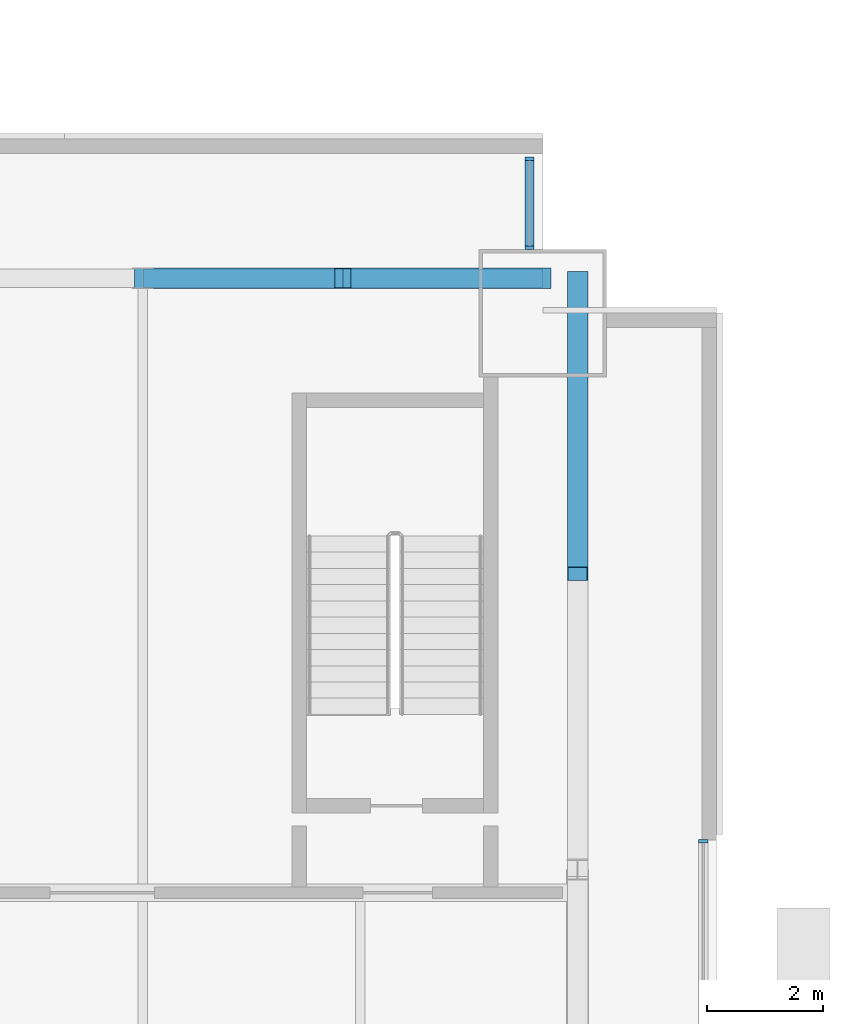
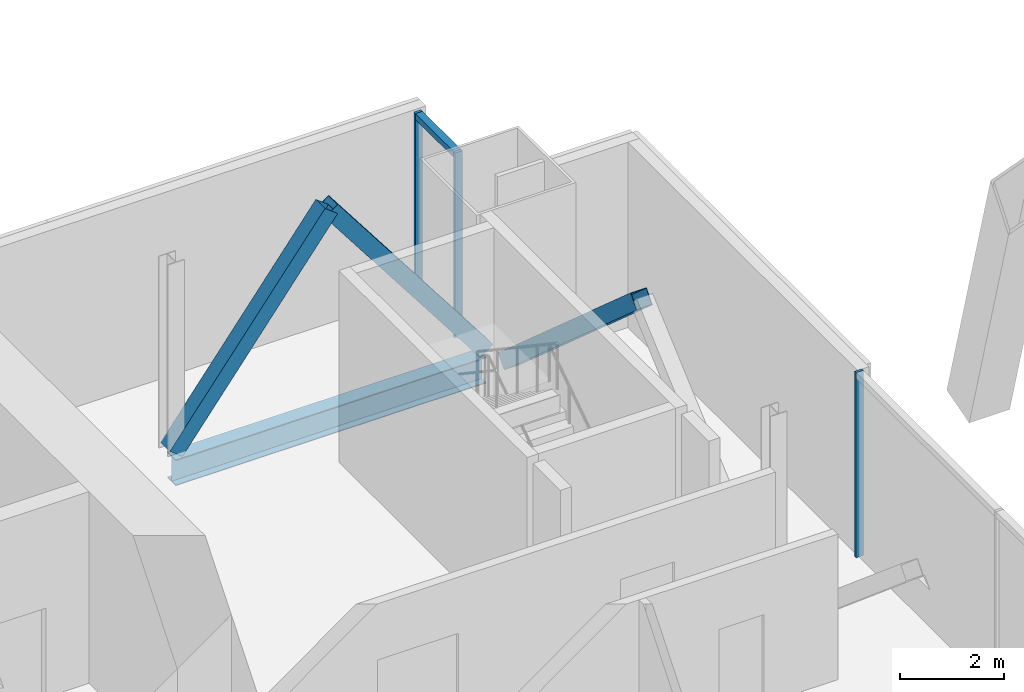
# One storey, part 14 of 22: 7 members, 1 beam, 2 elements without a shape of their own.
"""IFC4 building model written with IfcOpenShell, lengths in metres."""

from ifc_helpers import new_model, si_unit, direction, frame, origin, origin_2d, place, context, subcontext, project, spatial, rectangle, hollow_rectangle, i_section, extrude, material, material_profile, profile_set, type_object, element, aggregate, save


model = new_model("IFC4")

# Units and contexts
model_context = context("Model", 3, precision=1e-05, world=origin(), true_north=direction((0.0, 1.0)))
body_context = subcontext(model_context, "Body", "Model", "MODEL_VIEW")
ifc_project = project(units=[si_unit("LENGTHUNIT", "METRE"), si_unit("AREAUNIT", "SQUARE_METRE"), si_unit("VOLUMEUNIT", "CUBIC_METRE"), si_unit("PLANEANGLEUNIT", "RADIAN"), si_unit("MASSUNIT", "GRAM", prefix="KILO")], contexts=[model_context])

# Site, building, storey
site_placement = place(None, origin())
site = spatial("IfcSite", under=ifc_project, at=site_placement, CompositionType="ELEMENT")
building_placement = place(site_placement, origin())
building = spatial("IfcBuilding", under=site, at=building_placement, Name="Bicima Exchange Tower", CompositionType="ELEMENT")
storey_placement = place(building_placement, frame((0.0, 0.0, 315.5)))
storey = spatial("IfcBuildingStorey", under=building, at=storey_placement, Name="L71", CompositionType="ELEMENT", Elevation=315.5)

# Curtain wall, member
ifc_material_1 = material(Name="Anodised bronze aluminium", Category="aluminium")
curtain_wall_type_1 = type_object("IfcCurtainWallType", Name="End face glass wall", PredefinedType="NOTDEFINED", material=ifc_material_1)
curtain_wall_1_placement = place(storey_placement, origin())
curtain_wall_1 = element("IfcCurtainWall", 1, at=curtain_wall_1_placement, inside=storey, type_object=curtain_wall_type_1, Name="End face glass wall L71 run 19", PredefinedType="NOTDEFINED")
ifc_material_profile_1 = material_profile(ifc_material_1, rectangle(XDim=0.159912109375, YDim=0.06005859375, at=origin_2d()))
ifc_profile_set_1 = profile_set([ifc_material_profile_1], Name="Anodised bronze aluminium")
member_type_1 = type_object("IfcMemberType", Name="End face glass wall mullion 60 x 160", PredefinedType="MULLION", material=ifc_profile_set_1)
member_1_placement = place(storey_placement, frame((35.77001953125, -12.110107421875, 0.0), z_axis=(0.0, 0.0, 1.0), x_axis=(-1.0, 0.0, 0.0)))
member_1 = element("IfcMember", 2, at=member_1_placement, type_object=member_type_1, Name="End face glass wall mullion 3", PredefinedType="MULLION", context=body_context, shape_type="SweptSolid", body=[
    extrude(rectangle(XDim=0.159912109375, YDim=0.06005859375, at=origin_2d()), origin(), (0.0, 0.0, 1.0), 4.35009765625),
])
aggregate(curtain_wall_1, [member_1])

# Curtain wall, members
curtain_wall_type_2 = type_object("IfcCurtainWallType", Name="Front glass wall", PredefinedType="NOTDEFINED", material=ifc_material_1)
curtain_wall_2_placement = place(storey_placement, origin())
curtain_wall_2 = element("IfcCurtainWall", 3, at=curtain_wall_2_placement, inside=storey, type_object=curtain_wall_type_2, Name="Front glass wall L71 run 20", PredefinedType="NOTDEFINED")
member_type_2 = type_object("IfcMemberType", Name="Front glass wall mullion 60 x 160", PredefinedType="MULLION", material=ifc_profile_set_1)
member_2_placement = place(storey_placement, frame((32.77001953125, -1.8701171875, 0.0), z_axis=(0.0, 0.0, 1.0), x_axis=(-1.0, 0.0, 0.0)))
member_2 = element("IfcMember", 4, at=member_2_placement, type_object=member_type_2, Name="Front glass wall mullion 1", PredefinedType="MULLION", context=body_context, shape_type="SweptSolid", body=[
    extrude(rectangle(XDim=0.159912109375, YDim=0.06005859375, at=origin_2d()), origin(), (0.0, 0.0, 1.0), 4.35009765625),
])
member_3_placement = place(storey_placement, frame((32.77001953125, -0.340087890625, 0.0), z_axis=(0.0, 0.0, 1.0), x_axis=(-1.0, 0.0, 0.0)))
member_3 = element("IfcMember", 5, at=member_3_placement, type_object=member_type_2, Name="Front glass wall mullion 2", PredefinedType="MULLION", context=body_context, shape_type="SweptSolid", body=[
    extrude(rectangle(XDim=0.159912109375, YDim=0.06005859375, at=origin_2d()), origin(), (0.0, 0.0, 1.0), 4.35009765625),
])
ifc_material_profile_2 = material_profile(ifc_material_1, rectangle(XDim=0.159912109375, YDim=0.139892578125, at=origin_2d()))
ifc_profile_set_2 = profile_set([ifc_material_profile_2], Name="Anodised bronze aluminium")
member_type_3 = type_object("IfcMemberType", Name="Front glass wall transom 140 x 160", PredefinedType="USERDEFINED", material=ifc_profile_set_2)
member_4_placement = place(storey_placement, frame((32.77001953125, -1.840087890625, 4.280029296875), z_axis=(0.0, 1.0, 0.0), x_axis=(-1.0, 0.0, 0.0)))
member_4 = element("IfcMember", 6, at=member_4_placement, type_object=member_type_3, Name="Front glass wall transom 1.1", ObjectType="TRANSOM", PredefinedType="USERDEFINED", context=body_context, shape_type="SweptSolid", body=[
    extrude(rectangle(XDim=0.159912109375, YDim=0.139892578125, at=origin_2d()), origin(), (0.0, 0.0, 1.0), 1.469970703125),
])
aggregate(curtain_wall_2, [member_2, member_3, member_4])

# Members
ifc_material_2 = material(Name="Steel ASTM A572 Gr 50", Category="steel")
ifc_material_profile_3 = material_profile(ifc_material_2, hollow_rectangle(XDim=0.355712890625, YDim=0.355712890625, WallThickness=0.01171875, at=origin_2d()))
ifc_profile_set_3 = profile_set([ifc_material_profile_3], Name="Steel ASTM A572 Gr 50")
member_type_4 = type_object("IfcMemberType", Name="Mega brace HSS14x14x1/2", PredefinedType="BRACE", material=ifc_profile_set_3)
for number, where, z_axis, x_axis, name in (
    (7, (26.10009765625, -2.39990234375, 0.0), (0.608426120198, 0.0, 0.793610519248), (0.0, 1.0, 0.0), "Mega brace rear"),
    (8, (33.0, -2.39990234375, 0.0), (-0.608426120198, 0.0, 0.793610519248), (0.0, -1.0, 0.0), "Mega brace rear"),
):
    element("IfcMember", number, at=place(storey_placement, frame(where, z_axis=z_axis, x_axis=x_axis)), inside=storey, type_object=member_type_4, Name=name, PredefinedType="BRACE", context=body_context, shape_type="SweptSolid", body=[
        extrude(hollow_rectangle(XDim=0.355712890625, YDim=0.355712890625, WallThickness=0.01171875, at=origin_2d()), origin(), (0.0, 0.0, 1.0), 5.670166015625),
    ])
member_5_placement = place(storey_placement, frame((33.60009765625, -2.39990234375, -0.49658203125), z_axis=(0.0, -0.749844140428, 0.661614513948), x_axis=(1.0, 0.0, 0.0)))
element("IfcMember", 9, at=member_5_placement, inside=storey, type_object=member_type_4, Name="Mega brace east end", PredefinedType="BRACE", context=body_context, shape_type="SweptSolid", body=[
    extrude(hollow_rectangle(XDim=0.355712890625, YDim=0.355712890625, WallThickness=0.01171875, at=origin_2d()), origin(), (0.0, 0.0, 1.0), 6.801513671875),
])

# Beam
ifc_material_3 = material(Name="Steel ASTM A992 Gr 50", Category="steel")
ifc_material_profile_4 = material_profile(ifc_material_3, i_section(OverallWidth=0.3251953125, OverallDepth=0.612060546875, WebThickness=0.0126953125, FlangeThickness=0.01904296875, at=origin_2d()))
ifc_profile_set_4 = profile_set([ifc_material_profile_4], Name="Steel ASTM A992 Gr 50")
beam_type = type_object("IfcBeamType", Name="Rear girder W24x104", PredefinedType="BEAM", material=ifc_profile_set_4)
beam_placement = place(storey_placement, frame((26.10009765625, -2.39990234375, -0.4560546875), z_axis=(1.0, 0.0, 0.0), x_axis=(0.0, 1.0, 0.0)))
element("IfcBeam", 10, at=beam_placement, inside=storey, type_object=beam_type, Name="Rear girder", PredefinedType="BEAM", context=body_context, shape_type="SweptSolid", body=[
    extrude(i_section(OverallWidth=0.3251953125, OverallDepth=0.612060546875, WebThickness=0.0126953125, FlangeThickness=0.01904296875, at=origin_2d()), origin(), (0.0, 0.0, 1.0), 6.89990234375),
])

save(model, "model.ifc")
